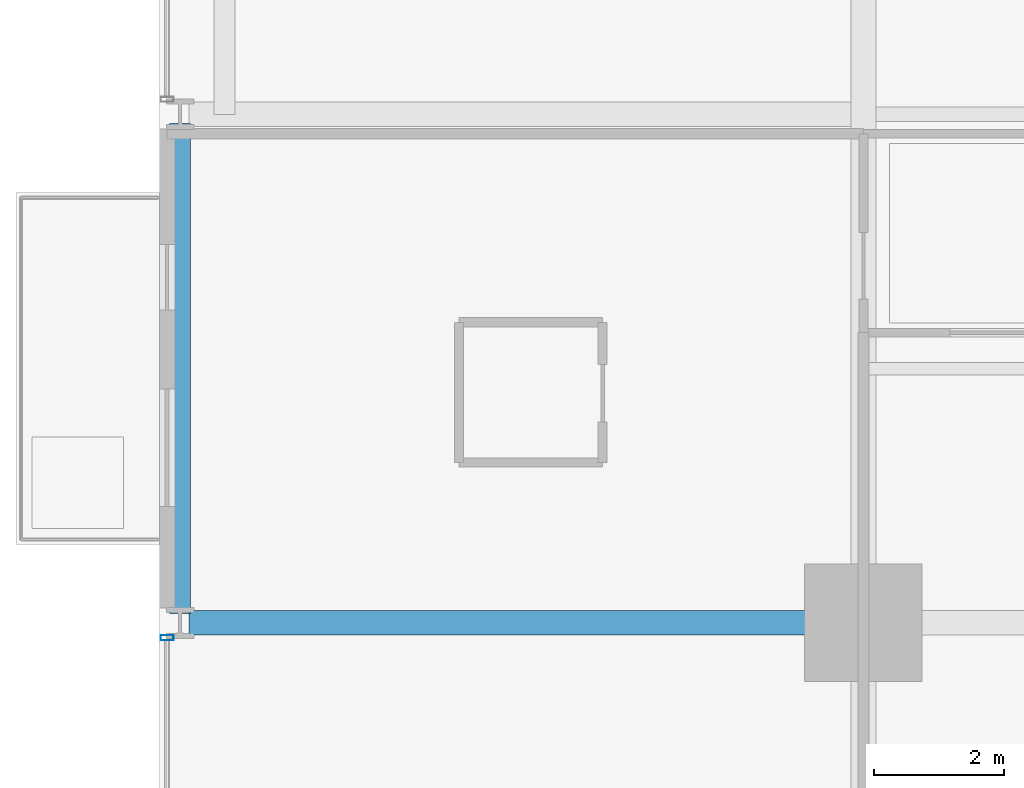
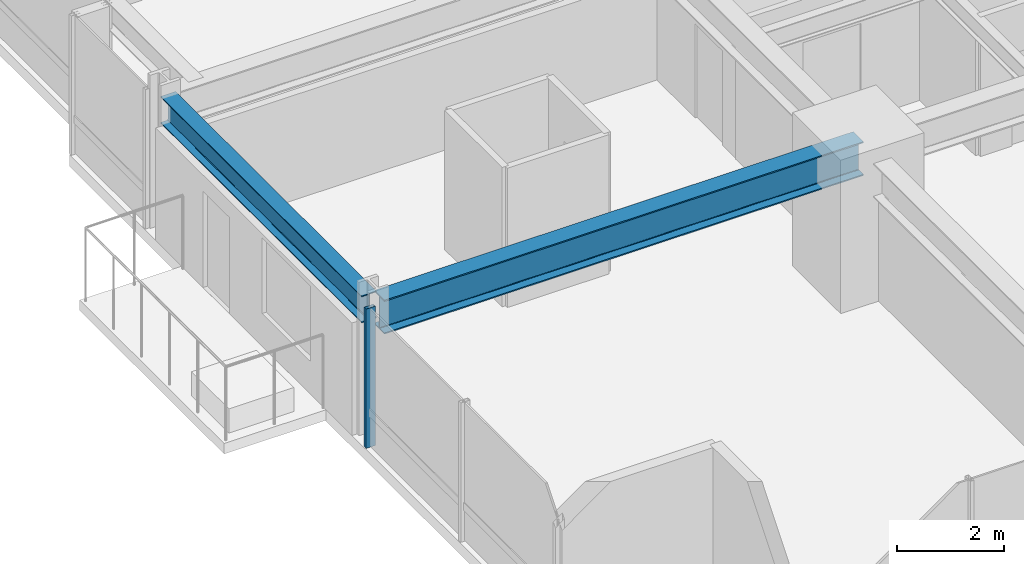
# One storey, part 4 of 37: 2 beams, 1 member, 1 element without a shape of its own.
"""IFC4 building model written with IfcOpenShell, lengths in metres."""

from ifc_helpers import new_model, si_unit, direction, frame, origin, origin_2d, place, context, subcontext, project, spatial, hollow_rectangle, i_section, extrude, material, layer, layer_set, material_profile, profile_set, type_object, element, aggregate, save


model = new_model("IFC4")

# Units and contexts
model_context = context("Model", 3, precision=1e-05, world=origin(), true_north=direction((0.0, 1.0)))
body_context = subcontext(model_context, "Body", "Model", "MODEL_VIEW")
ifc_project = project(units=[si_unit("LENGTHUNIT", "METRE"), si_unit("AREAUNIT", "SQUARE_METRE"), si_unit("VOLUMEUNIT", "CUBIC_METRE"), si_unit("PLANEANGLEUNIT", "RADIAN"), si_unit("MASSUNIT", "GRAM", prefix="KILO")], contexts=[model_context])

# Site, building, storey
site_placement = place(None, origin())
site = spatial("IfcSite", under=ifc_project, at=site_placement, CompositionType="ELEMENT")
building_placement = place(site_placement, origin())
building = spatial("IfcBuilding", under=site, at=building_placement, Name="Drelvath Grand Hotel", CompositionType="ELEMENT")
storey_placement = place(building_placement, frame((0.0, 0.0, 78.699951171875)))
storey = spatial("IfcBuildingStorey", under=building, at=storey_placement, Name="L19", CompositionType="ELEMENT", Elevation=78.699951171875)

# Curtain wall, member
ifc_material_1 = material(Name="Warm Bronze Anodised Aluminium Frame", Category="aluminium")
ifc_layer = layer(ifc_material_1, 0.199951171875)
ifc_layer_set = layer_set([ifc_layer], Name="Warm Bronze Anodised Aluminium Frame")
curtain_wall_type = type_object("IfcCurtainWallType", Name="Stick Curtain Wall CW-02 Warm Bronze Low-Rise", PredefinedType="NOTDEFINED", material=ifc_layer_set)
curtain_wall_placement = place(storey_placement, origin())
curtain_wall = element("IfcCurtainWall", 1, at=curtain_wall_placement, inside=storey, type_object=curtain_wall_type, Name="L19 CW-02 Curtain Wall CW02-L19-WS1", PredefinedType="NOTDEFINED")
ifc_material_profile_1 = material_profile(ifc_material_1, hollow_rectangle(XDim=0.080078125, YDim=0.199951171875, WallThickness=0.0048828125, at=origin_2d()), Name="HSS200X80X5")
ifc_profile_set_1 = profile_set([ifc_material_profile_1], Name="Warm Bronze Anodised Aluminium Frame")
member_type = type_object("IfcMemberType", Name="Curtain Wall Vertical Mullion CW-02 HSS200X80X5", PredefinedType="MULLION", material=ifc_profile_set_1)
member_placement = place(storey_placement, frame((-26.8798828125, 10.57080078125, 0.0), z_axis=(0.0, 0.0, 1.0), x_axis=(0.0, 1.0, 0.0)))
member = element("IfcMember", 2, at=member_placement, type_object=member_type, Name="CW02-L19-WS1 Mullion 3", PredefinedType="MULLION", context=body_context, shape_type="SweptSolid", body=[
    extrude(hollow_rectangle(XDim=0.080078125, YDim=0.199951171875, WallThickness=0.0048828125, at=origin_2d()), origin(), (0.0, 0.0, 1.0), 3.179931640625),
])
aggregate(curtain_wall, [member])

# Beams
ifc_material_2 = material(Name="Steel ASTM A992 Gr 50", Category="steel")
ifc_material_profile_2 = material_profile(ifc_material_2, i_section(OverallWidth=0.323974609375, OverallDepth=0.611083984375, WebThickness=0.0126953125, FlangeThickness=0.01904296875, FilletRadius=0.02197265625, at=origin_2d()), Name="W24X104")
ifc_profile_set_2 = profile_set([ifc_material_profile_2], Name="Steel ASTM A992 Gr 50")
beam_type_1 = type_object("IfcBeamType", Name="Perimeter Spandrel Beam W24X104", PredefinedType="SPANDREL", material=ifc_profile_set_2)
beam_1_placement = place(storey_placement, frame((-26.679931640625, 10.93994140625, 2.87451171875), z_axis=(0.0, 1.0, 0.0), x_axis=(-1.0, 0.0, 0.0)))
element("IfcBeam", 3, at=beam_1_placement, inside=storey, type_object=beam_type_1, Name="L19 Spandrel West S", PredefinedType="SPANDREL", context=body_context, shape_type="SweptSolid", body=[
    extrude(i_section(OverallWidth=0.323974609375, OverallDepth=0.611083984375, WebThickness=0.0126953125, FlangeThickness=0.01904296875, FilletRadius=0.02197265625, at=origin_2d()), origin(), (0.0, 0.0, 1.0), 7.52001953125),
])
ifc_material_profile_3 = material_profile(ifc_material_2, i_section(OverallWidth=0.380615234375, OverallDepth=0.773193359375, WebThickness=0.0166015625, FlangeThickness=0.027099609375, FilletRadius=0.02490234375, at=origin_2d()), Name="W30X173")
ifc_profile_set_3 = profile_set([ifc_material_profile_3], Name="Steel ASTM A992 Gr 50")
beam_type_2 = type_object("IfcBeamType", Name="Primary Floor Girder W30X173", PredefinedType="BEAM", material=ifc_profile_set_3)
beam_2_placement = place(storey_placement, frame((-26.5400390625, 10.800048828125, 2.79345703125), z_axis=(1.0, 0.0, 0.0), x_axis=(0.0, 1.0, 0.0)))
element("IfcBeam", 4, at=beam_2_placement, inside=storey, type_object=beam_type_2, Name="L19 West Grid Girder C", PredefinedType="BEAM", context=body_context, shape_type="SweptSolid", body=[
    extrude(i_section(OverallWidth=0.380615234375, OverallDepth=0.773193359375, WebThickness=0.0166015625, FlangeThickness=0.027099609375, FilletRadius=0.02490234375, at=origin_2d()), origin(), (0.0, 0.0, 1.0), 10.340087890625),
])

save(model, "model.ifc")
